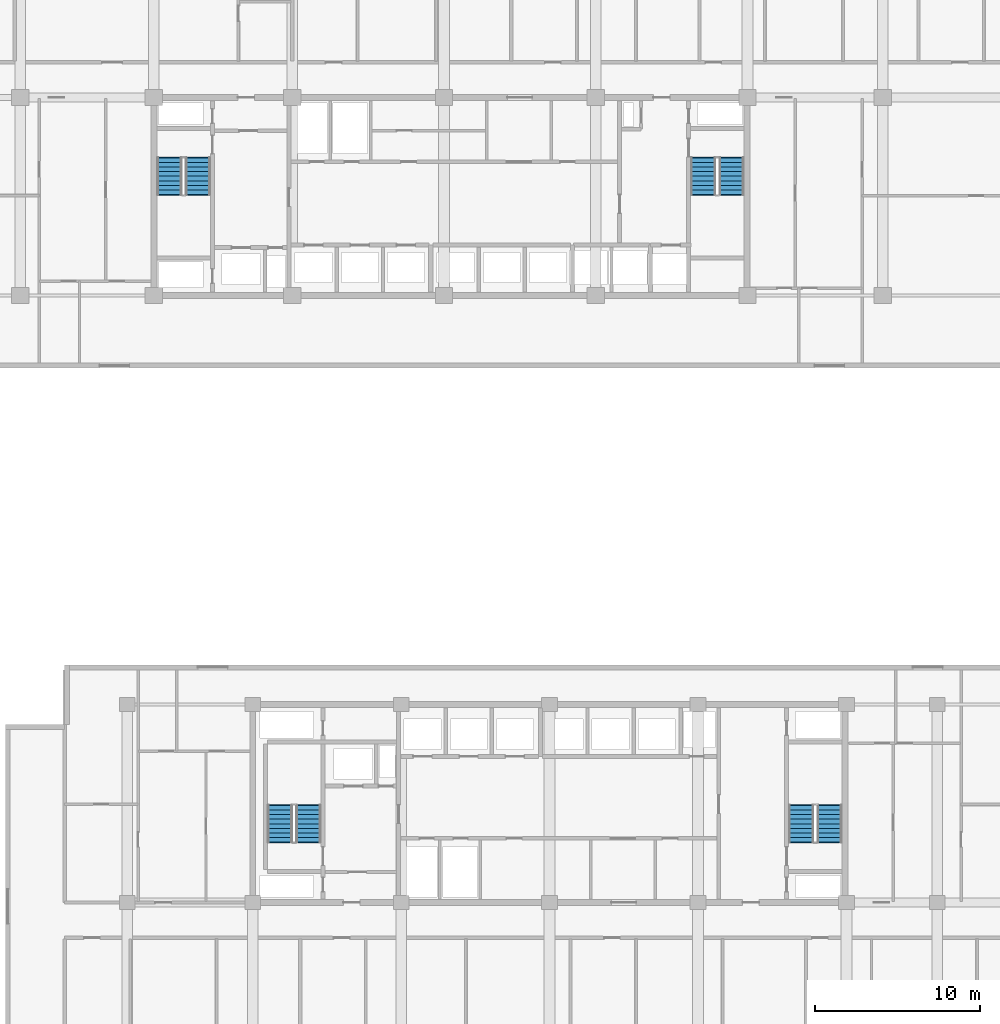
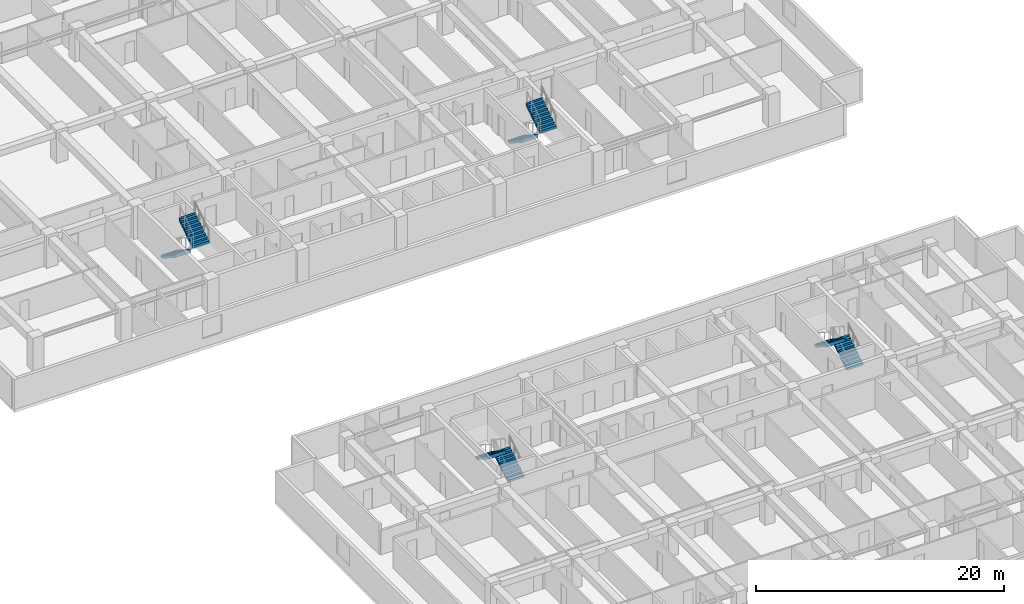
# One storey, part 18 of 23: 8 stair flights, 4 elements without a shape of their own.
"""IFC4 building model written with IfcOpenShell, lengths in metres."""

from ifc_helpers import new_model, si_unit, direction, frame, origin, place, context, subcontext, project, spatial, polyline, outline, extrude, material, type_object, element, aggregate, save


model = new_model("IFC4")

# Units and contexts
model_context = context("Model", 3, precision=1e-05, world=origin(), true_north=direction((0.0, 1.0)))
body_context = subcontext(model_context, "Body", "Model", "MODEL_VIEW")
ifc_project = project(units=[si_unit("LENGTHUNIT", "METRE"), si_unit("AREAUNIT", "SQUARE_METRE"), si_unit("VOLUMEUNIT", "CUBIC_METRE"), si_unit("PLANEANGLEUNIT", "RADIAN"), si_unit("MASSUNIT", "GRAM", prefix="KILO")], contexts=[model_context])

# Site, building, storey
site_placement = place(None, origin())
site = spatial("IfcSite", under=ifc_project, at=site_placement, CompositionType="ELEMENT")
building_placement = place(site_placement, origin())
building = spatial("IfcBuilding", under=site, at=building_placement, Name="Korimba Cascade Residences", CompositionType="ELEMENT")
storey_placement = place(building_placement, frame((0.0, 0.0, 33.75)))
storey = spatial("IfcBuildingStorey", under=building, at=storey_placement, Name="L08", CompositionType="ELEMENT", Elevation=33.75)

# Stair, stair flights
ifc_material = material(Name="Concrete C50/60", Category="concrete")
stair_type_1 = type_object("IfcStairType", Name="STR-W1-18R-1806", PredefinedType="HALF_TURN_STAIR", material=ifc_material)
stair_1_placement = place(storey_placement, origin())
stair_1 = element("IfcStair", 1, at=stair_1_placement, inside=storey, type_object=stair_type_1, Name="L08 Tower 1 West Fire Stair ST-W1", PredefinedType="HALF_TURN_STAIR")
stair_flight_type = type_object("IfcStairFlightType", Name="STF-DL-18R-1806-1520", PredefinedType="STRAIGHT", material=ifc_material)
stair_flight_1_placement = place(storey_placement, frame((77.06005859375, 63.550048828125, 0.0), z_axis=(0.0, 0.0, 1.0), x_axis=(0.0, -1.0, 0.0)))
stair_flight_1 = element("IfcStairFlight", 2, at=stair_flight_1_placement, type_object=stair_flight_type, Name="ST-W1 flight 1", NumberOfRisers=9, NumberOfTreads=8, PredefinedType="STRAIGHT", RiserHeight=0.180555556, TreadLength=0.28, context=body_context, shape_type="SweptSolid", body=[
    extrude(outline(polyline([(-0.0380859375, 0.0), (0.0, 0.1806640625), (0.280029296875, 0.1806640625), (0.280029296875, 0.361083984375), (0.56005859375, 0.361083984375), (0.56005859375, 0.541748046875), (0.840087890625, 0.541748046875), (0.840087890625, 0.72216796875), (1.1201171875, 0.72216796875), (1.1201171875, 0.90283203125), (1.39990234375, 0.90283203125), (1.39990234375, 1.083251953125), (1.679931640625, 1.083251953125), (1.679931640625, 1.263916015625), (1.9599609375, 1.263916015625), (1.9599609375, 1.4443359375), (2.239990234375, 1.4443359375), (2.239990234375, 1.625), (2.278076171875, 1.625), (2.278076171875, 1.26611328125), (0.276611328125, 0.0), (0.276611328125, -0.0380859375), (-0.0380859375, -0.0380859375), (-0.0380859375, 0.0)])), frame((0.0, 0.760009765625, 0.0), z_axis=(0.0, -1.0, 0.0), x_axis=(1.0, 0.0, 0.0)), (0.0, 0.0, 1.0), 1.52001953125),
])
stair_flight_2_placement = place(storey_placement, frame((78.780029296875, 61.31005859375, 1.625), z_axis=(0.0, 0.0, 1.0), x_axis=(0.0, 1.0, 0.0)))
stair_flight_2 = element("IfcStairFlight", 3, at=stair_flight_2_placement, type_object=stair_flight_type, Name="ST-W1 flight 2", NumberOfRisers=9, NumberOfTreads=8, PredefinedType="STRAIGHT", RiserHeight=0.180555556, TreadLength=0.28, context=body_context, shape_type="SweptSolid", body=[
    extrude(outline(polyline([(-0.0380859375, 0.0), (0.0, 0.1806640625), (0.280029296875, 0.1806640625), (0.280029296875, 0.361083984375), (0.56005859375, 0.361083984375), (0.56005859375, 0.541748046875), (0.840087890625, 0.541748046875), (0.840087890625, 0.72216796875), (1.1201171875, 0.72216796875), (1.1201171875, 0.90283203125), (1.39990234375, 0.90283203125), (1.39990234375, 1.083251953125), (1.679931640625, 1.083251953125), (1.679931640625, 1.263916015625), (1.9599609375, 1.263916015625), (1.9599609375, 1.4443359375), (2.239990234375, 1.4443359375), (2.239990234375, 1.625), (2.278076171875, 1.625), (2.278076171875, 1.26611328125), (0.276611328125, 0.0), (0.276611328125, -0.0380859375), (-0.0380859375, -0.0380859375), (-0.0380859375, 0.0)])), frame((0.0, 0.760009765625, 0.0), z_axis=(0.0, -1.0, 0.0), x_axis=(1.0, 0.0, 0.0)), (0.0, 0.0, 1.0), 1.52001953125),
])
aggregate(stair_1, [stair_flight_1, stair_flight_2])

stair_type_2 = type_object("IfcStairType", Name="STR-W2-18R-1806", PredefinedType="HALF_TURN_STAIR", material=ifc_material)
stair_2_placement = place(storey_placement, origin())
stair_2 = element("IfcStair", 4, at=stair_2_placement, inside=storey, type_object=stair_type_2, Name="L08 Tower 1 East Fire Stair ST-W2", PredefinedType="HALF_TURN_STAIR")
stair_flight_3_placement = place(storey_placement, frame((109.419921875, 63.550048828125, 0.0), z_axis=(0.0, 0.0, 1.0), x_axis=(0.0, -1.0, 0.0)))
stair_flight_3 = element("IfcStairFlight", 5, at=stair_flight_3_placement, type_object=stair_flight_type, Name="ST-W2 flight 1", NumberOfRisers=9, NumberOfTreads=8, PredefinedType="STRAIGHT", RiserHeight=0.180555556, TreadLength=0.28, context=body_context, shape_type="SweptSolid", body=[
    extrude(outline(polyline([(-0.0380859375, 0.0), (0.0, 0.1806640625), (0.280029296875, 0.1806640625), (0.280029296875, 0.361083984375), (0.56005859375, 0.361083984375), (0.56005859375, 0.541748046875), (0.840087890625, 0.541748046875), (0.840087890625, 0.72216796875), (1.1201171875, 0.72216796875), (1.1201171875, 0.90283203125), (1.39990234375, 0.90283203125), (1.39990234375, 1.083251953125), (1.679931640625, 1.083251953125), (1.679931640625, 1.263916015625), (1.9599609375, 1.263916015625), (1.9599609375, 1.4443359375), (2.239990234375, 1.4443359375), (2.239990234375, 1.625), (2.278076171875, 1.625), (2.278076171875, 1.26611328125), (0.276611328125, 0.0), (0.276611328125, -0.0380859375), (-0.0380859375, -0.0380859375), (-0.0380859375, 0.0)])), frame((0.0, 0.760009765625, 0.0), z_axis=(0.0, -1.0, 0.0), x_axis=(1.0, 0.0, 0.0)), (0.0, 0.0, 1.0), 1.52001953125),
])
stair_flight_4_placement = place(storey_placement, frame((111.139892578125, 61.31005859375, 1.625), z_axis=(0.0, 0.0, 1.0), x_axis=(0.0, 1.0, 0.0)))
stair_flight_4 = element("IfcStairFlight", 6, at=stair_flight_4_placement, type_object=stair_flight_type, Name="ST-W2 flight 2", NumberOfRisers=9, NumberOfTreads=8, PredefinedType="STRAIGHT", RiserHeight=0.180555556, TreadLength=0.28, context=body_context, shape_type="SweptSolid", body=[
    extrude(outline(polyline([(-0.0380859375, 0.0), (0.0, 0.1806640625), (0.280029296875, 0.1806640625), (0.280029296875, 0.361083984375), (0.56005859375, 0.361083984375), (0.56005859375, 0.541748046875), (0.840087890625, 0.541748046875), (0.840087890625, 0.72216796875), (1.1201171875, 0.72216796875), (1.1201171875, 0.90283203125), (1.39990234375, 0.90283203125), (1.39990234375, 1.083251953125), (1.679931640625, 1.083251953125), (1.679931640625, 1.263916015625), (1.9599609375, 1.263916015625), (1.9599609375, 1.4443359375), (2.239990234375, 1.4443359375), (2.239990234375, 1.625), (2.278076171875, 1.625), (2.278076171875, 1.26611328125), (0.276611328125, 0.0), (0.276611328125, -0.0380859375), (-0.0380859375, -0.0380859375), (-0.0380859375, 0.0)])), frame((0.0, 0.760009765625, 0.0), z_axis=(0.0, -1.0, 0.0), x_axis=(1.0, 0.0, 0.0)), (0.0, 0.0, 1.0), 1.52001953125),
])
aggregate(stair_2, [stair_flight_3, stair_flight_4])

stair_type_3 = type_object("IfcStairType", Name="STR-E1-18R-1806", PredefinedType="HALF_TURN_STAIR", material=ifc_material)
stair_3_placement = place(storey_placement, origin())
stair_3 = element("IfcStair", 7, at=stair_3_placement, inside=storey, type_object=stair_type_3, Name="L08 Tower 2 West Fire Stair ST-E1", PredefinedType="HALF_TURN_STAIR")
stair_flight_5_placement = place(storey_placement, frame((85.47998046875, 22.050048828125, 0.0), z_axis=(0.0, 0.0, 1.0), x_axis=(0.0, 1.0, 0.0)))
stair_flight_5 = element("IfcStairFlight", 8, at=stair_flight_5_placement, type_object=stair_flight_type, Name="ST-E1 flight 1", NumberOfRisers=9, NumberOfTreads=8, PredefinedType="STRAIGHT", RiserHeight=0.180555556, TreadLength=0.28, context=body_context, shape_type="SweptSolid", body=[
    extrude(outline(polyline([(-0.0380859375, 0.0), (0.0, 0.1806640625), (0.280029296875, 0.1806640625), (0.280029296875, 0.361083984375), (0.56005859375, 0.361083984375), (0.56005859375, 0.541748046875), (0.840087890625, 0.541748046875), (0.840087890625, 0.72216796875), (1.1201171875, 0.72216796875), (1.1201171875, 0.90283203125), (1.39990234375, 0.90283203125), (1.39990234375, 1.083251953125), (1.679931640625, 1.083251953125), (1.679931640625, 1.263916015625), (1.9599609375, 1.263916015625), (1.9599609375, 1.4443359375), (2.239990234375, 1.4443359375), (2.239990234375, 1.625), (2.278076171875, 1.625), (2.278076171875, 1.26611328125), (0.276611328125, 0.0), (0.276611328125, -0.0380859375), (-0.0380859375, -0.0380859375), (-0.0380859375, 0.0)])), frame((0.0, 0.760009765625, 0.0), z_axis=(0.0, -1.0, 0.0), x_axis=(1.0, 0.0, 0.0)), (0.0, 0.0, 1.0), 1.52001953125),
])
stair_flight_6_placement = place(storey_placement, frame((83.760009765625, 24.2900390625, 1.625), z_axis=(0.0, 0.0, 1.0), x_axis=(0.0, -1.0, 0.0)))
stair_flight_6 = element("IfcStairFlight", 9, at=stair_flight_6_placement, type_object=stair_flight_type, Name="ST-E1 flight 2", NumberOfRisers=9, NumberOfTreads=8, PredefinedType="STRAIGHT", RiserHeight=0.180555556, TreadLength=0.28, context=body_context, shape_type="SweptSolid", body=[
    extrude(outline(polyline([(-0.0380859375, 0.0), (0.0, 0.1806640625), (0.280029296875, 0.1806640625), (0.280029296875, 0.361083984375), (0.56005859375, 0.361083984375), (0.56005859375, 0.541748046875), (0.840087890625, 0.541748046875), (0.840087890625, 0.72216796875), (1.1201171875, 0.72216796875), (1.1201171875, 0.90283203125), (1.39990234375, 0.90283203125), (1.39990234375, 1.083251953125), (1.679931640625, 1.083251953125), (1.679931640625, 1.263916015625), (1.9599609375, 1.263916015625), (1.9599609375, 1.4443359375), (2.239990234375, 1.4443359375), (2.239990234375, 1.625), (2.278076171875, 1.625), (2.278076171875, 1.26611328125), (0.276611328125, 0.0), (0.276611328125, -0.0380859375), (-0.0380859375, -0.0380859375), (-0.0380859375, 0.0)])), frame((0.0, 0.760009765625, 0.0), z_axis=(0.0, -1.0, 0.0), x_axis=(1.0, 0.0, 0.0)), (0.0, 0.0, 1.0), 1.52001953125),
])
aggregate(stair_3, [stair_flight_5, stair_flight_6])

stair_type_4 = type_object("IfcStairType", Name="STR-E2-18R-1806", PredefinedType="HALF_TURN_STAIR", material=ifc_material)
stair_4_placement = place(storey_placement, origin())
stair_4 = element("IfcStair", 10, at=stair_4_placement, inside=storey, type_object=stair_type_4, Name="L08 Tower 2 East Fire Stair ST-E2", PredefinedType="HALF_TURN_STAIR")
stair_flight_7_placement = place(storey_placement, frame((117.080078125, 22.050048828125, 0.0), z_axis=(0.0, 0.0, 1.0), x_axis=(0.0, 1.0, 0.0)))
stair_flight_7 = element("IfcStairFlight", 11, at=stair_flight_7_placement, type_object=stair_flight_type, Name="ST-E2 flight 1", NumberOfRisers=9, NumberOfTreads=8, PredefinedType="STRAIGHT", RiserHeight=0.180555556, TreadLength=0.28, context=body_context, shape_type="SweptSolid", body=[
    extrude(outline(polyline([(-0.0380859375, 0.0), (0.0, 0.1806640625), (0.280029296875, 0.1806640625), (0.280029296875, 0.361083984375), (0.56005859375, 0.361083984375), (0.56005859375, 0.541748046875), (0.840087890625, 0.541748046875), (0.840087890625, 0.72216796875), (1.1201171875, 0.72216796875), (1.1201171875, 0.90283203125), (1.39990234375, 0.90283203125), (1.39990234375, 1.083251953125), (1.679931640625, 1.083251953125), (1.679931640625, 1.263916015625), (1.9599609375, 1.263916015625), (1.9599609375, 1.4443359375), (2.239990234375, 1.4443359375), (2.239990234375, 1.625), (2.278076171875, 1.625), (2.278076171875, 1.26611328125), (0.276611328125, 0.0), (0.276611328125, -0.0380859375), (-0.0380859375, -0.0380859375), (-0.0380859375, 0.0)])), frame((0.0, 0.760009765625, 0.0), z_axis=(0.0, -1.0, 0.0), x_axis=(1.0, 0.0, 0.0)), (0.0, 0.0, 1.0), 1.52001953125),
])
stair_flight_8_placement = place(storey_placement, frame((115.360107421875, 24.2900390625, 1.625), z_axis=(0.0, 0.0, 1.0), x_axis=(0.0, -1.0, 0.0)))
stair_flight_8 = element("IfcStairFlight", 12, at=stair_flight_8_placement, type_object=stair_flight_type, Name="ST-E2 flight 2", NumberOfRisers=9, NumberOfTreads=8, PredefinedType="STRAIGHT", RiserHeight=0.180555556, TreadLength=0.28, context=body_context, shape_type="SweptSolid", body=[
    extrude(outline(polyline([(-0.0380859375, 0.0), (0.0, 0.1806640625), (0.280029296875, 0.1806640625), (0.280029296875, 0.361083984375), (0.56005859375, 0.361083984375), (0.56005859375, 0.541748046875), (0.840087890625, 0.541748046875), (0.840087890625, 0.72216796875), (1.1201171875, 0.72216796875), (1.1201171875, 0.90283203125), (1.39990234375, 0.90283203125), (1.39990234375, 1.083251953125), (1.679931640625, 1.083251953125), (1.679931640625, 1.263916015625), (1.9599609375, 1.263916015625), (1.9599609375, 1.4443359375), (2.239990234375, 1.4443359375), (2.239990234375, 1.625), (2.278076171875, 1.625), (2.278076171875, 1.26611328125), (0.276611328125, 0.0), (0.276611328125, -0.0380859375), (-0.0380859375, -0.0380859375), (-0.0380859375, 0.0)])), frame((0.0, 0.760009765625, 0.0), z_axis=(0.0, -1.0, 0.0), x_axis=(1.0, 0.0, 0.0)), (0.0, 0.0, 1.0), 1.52001953125),
])
aggregate(stair_4, [stair_flight_7, stair_flight_8])

save(model, "model.ifc")
